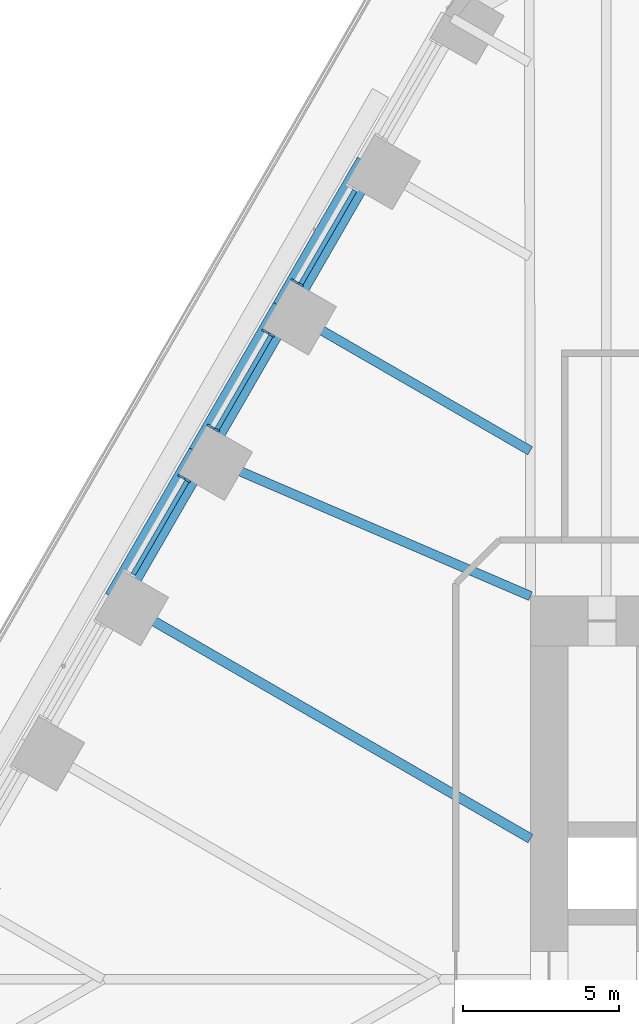
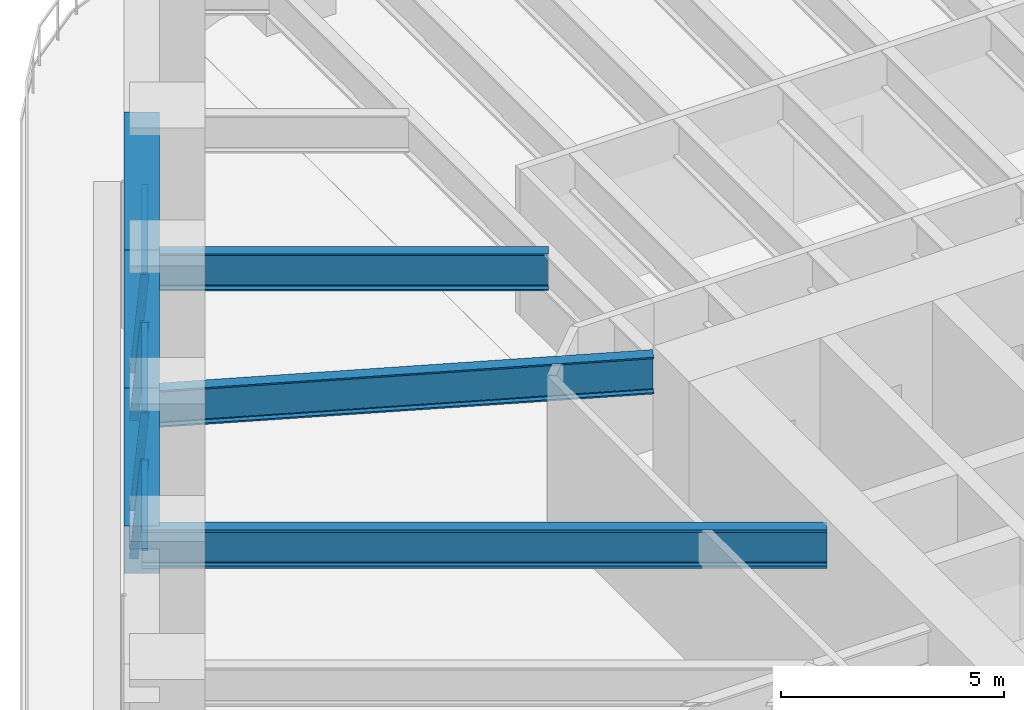
# One storey, part 8 of 23: 7 members, 6 beams, 3 elements without a shape of their own.
"""IFC4 building model written with IfcOpenShell, lengths in metres."""

from ifc_helpers import new_model, si_unit, direction, frame, origin, origin_2d, place, context, subcontext, project, spatial, rectangle, i_section, extrude, material, material_profile, profile_set, type_object, element, aggregate, save


model = new_model("IFC4")

# Units and contexts
model_context = context("Model", 3, precision=1e-05, world=origin(), true_north=direction((0.0, 1.0)))
body_context = subcontext(model_context, "Body", "Model", "MODEL_VIEW")
ifc_project = project(units=[si_unit("LENGTHUNIT", "METRE"), si_unit("AREAUNIT", "SQUARE_METRE"), si_unit("VOLUMEUNIT", "CUBIC_METRE"), si_unit("PLANEANGLEUNIT", "RADIAN"), si_unit("MASSUNIT", "GRAM", prefix="KILO")], contexts=[model_context])

# Site, building, storey
site_placement = place(None, origin())
site = spatial("IfcSite", under=ifc_project, at=site_placement, CompositionType="ELEMENT")
building_placement = place(site_placement, origin())
building = spatial("IfcBuilding", under=site, at=building_placement, Name="Tarfa Lantern Tower", CompositionType="ELEMENT")
storey_placement = place(building_placement, frame((0.0, 0.0, 99.10009765625)))
storey = spatial("IfcBuildingStorey", under=building, at=storey_placement, Name="L22", CompositionType="ELEMENT", Elevation=99.10009765625)

# Curtain wall, member
ifc_material_1 = material(Name="Aluminium framed curtain wall", Category="aluminium")
curtain_wall_type = type_object("IfcCurtainWallType", Name="CW1 CANTED GLAZING LOW ZONE 2700", PredefinedType="USERDEFINED", material=ifc_material_1)
curtain_wall_1_placement = place(storey_placement, origin())
curtain_wall_1 = element("IfcCurtainWall", 1, at=curtain_wall_1_placement, inside=storey, type_object=curtain_wall_type, Name="CW1 NW L22", ObjectType="CURTAIN WALL", PredefinedType="USERDEFINED")
ifc_material_2 = material(Name="Aluminium mullion", Category="aluminium")
ifc_material_profile_1 = material_profile(ifc_material_2, rectangle(XDim=0.06494140625, YDim=0.199951171875, at=origin_2d()), Name="AL MULLION 65x200")
ifc_profile_set_1 = profile_set([ifc_material_profile_1], Name="Aluminium mullion")
member_type_1 = type_object("IfcMemberType", Name="CWM1 MULLION 65x200", PredefinedType="MULLION", material=ifc_profile_set_1)
member_1_placement = place(storey_placement, frame((-26.19775390625, 22.42431640625, 0.0), z_axis=(0.07986442134, -0.046099868913, 0.99573916077), x_axis=(0.499919672301, 0.866071776036, 0.0)))
member_1 = element("IfcMember", 2, at=member_1_placement, type_object=member_type_1, Name="CW1 mullion 2", PredefinedType="MULLION", context=body_context, shape_type="SweptSolid", body=[
    extrude(rectangle(XDim=0.06494140625, YDim=0.199951171875, at=origin_2d()), origin(), (0.0, 0.0, 1.0), 2.71142578125),
])

# Curtain wall, members
curtain_wall_2_placement = place(storey_placement, origin())
curtain_wall_2 = element("IfcCurtainWall", 3, at=curtain_wall_2_placement, inside=storey, type_object=curtain_wall_type, Name="CW1 NW L22", ObjectType="CURTAIN WALL", PredefinedType="USERDEFINED")
member_2_placement = place(storey_placement, frame((-27.130126953125, 20.80908203125, 0.0), z_axis=(0.079774955866, -0.04610020023, 0.995746317068), x_axis=(0.500342721131, 0.865827443207, 0.0)))
member_2 = element("IfcMember", 4, at=member_2_placement, type_object=member_type_1, Name="CW1 mullion 1", PredefinedType="MULLION", context=body_context, shape_type="SweptSolid", body=[
    extrude(rectangle(XDim=0.06494140625, YDim=0.199951171875, at=origin_2d()), origin(), (0.0, 0.0, 1.0), 2.71142578125),
])
member_3_placement = place(storey_placement, frame((-28.89208984375, 17.757568359375, 0.0), z_axis=(0.07986442134, -0.046099868913, 0.99573916077), x_axis=(0.499919672301, 0.866071776036, 0.0)))
member_3 = element("IfcMember", 5, at=member_3_placement, type_object=member_type_1, Name="CW1 mullion 2", PredefinedType="MULLION", context=body_context, shape_type="SweptSolid", body=[
    extrude(rectangle(XDim=0.06494140625, YDim=0.199951171875, at=origin_2d()), origin(), (0.0, 0.0, 1.0), 2.71142578125),
])

# Curtain wall, member
curtain_wall_3_placement = place(storey_placement, origin())
curtain_wall_3 = element("IfcCurtainWall", 6, at=curtain_wall_3_placement, inside=storey, type_object=curtain_wall_type, Name="CW1 NW L22", ObjectType="CURTAIN WALL", PredefinedType="USERDEFINED")
member_4_placement = place(storey_placement, frame((-29.824462890625, 16.142333984375, 0.0), z_axis=(0.07986442134, -0.046099868913, 0.99573916077), x_axis=(0.499919672301, 0.866071776036, 0.0)))
member_4 = element("IfcMember", 7, at=member_4_placement, type_object=member_type_1, Name="CW1 mullion 1", PredefinedType="MULLION", context=body_context, shape_type="SweptSolid", body=[
    extrude(rectangle(XDim=0.06494140625, YDim=0.199951171875, at=origin_2d()), origin(), (0.0, 0.0, 1.0), 2.71142578125),
])

# Member
ifc_material_3 = material(Name="Aluminium transom", Category="aluminium")
ifc_material_profile_2 = material_profile(ifc_material_3, rectangle(XDim=0.14990234375, YDim=0.06494140625, at=origin_2d()), Name="AL TRANSOM 150x65")
ifc_profile_set_2 = profile_set([ifc_material_profile_2], Name="Aluminium transom")
member_type_2 = type_object("IfcMemberType", Name="CWT1 TRANSOM 150x65", PredefinedType="USERDEFINED", material=ifc_profile_set_2)
member_5_placement = place(storey_placement, frame((-24.23828125, 25.32421875, 2.66748046875), z_axis=(-0.49997297598, -0.866041005548, 0.0), x_axis=(0.866041005548, -0.49997297598, 0.0)))
member_5 = element("IfcMember", 8, at=member_5_placement, type_object=member_type_2, Name="CW1 transom 1.2", ObjectType="TRANSOM", PredefinedType="USERDEFINED", context=body_context, shape_type="SweptSolid", body=[
    extrude(rectangle(XDim=0.14990234375, YDim=0.06494140625, at=origin_2d()), origin(), (0.0, 0.0, 1.0), 3.458740234375),
])

aggregate(curtain_wall_1, [member_1, member_5])

member_6_placement = place(storey_placement, frame((-26.9326171875, 20.657470703125, 2.66748046875), z_axis=(-0.49997297598, -0.866041005548, 0.0), x_axis=(0.866041005548, -0.49997297598, 0.0)))
member_6 = element("IfcMember", 9, at=member_6_placement, type_object=member_type_2, Name="CW1 transom 1.2", ObjectType="TRANSOM", PredefinedType="USERDEFINED", context=body_context, shape_type="SweptSolid", body=[
    extrude(rectangle(XDim=0.14990234375, YDim=0.06494140625, at=origin_2d()), origin(), (0.0, 0.0, 1.0), 3.458740234375),
])

aggregate(curtain_wall_2, [member_2, member_3, member_6])

member_7_placement = place(storey_placement, frame((-29.626953125, 15.99072265625, 2.66748046875), z_axis=(-0.500003541824, -0.866023358902, 0.0), x_axis=(0.866023358902, -0.500003541824, 0.0)))
member_7 = element("IfcMember", 10, at=member_7_placement, type_object=member_type_2, Name="CW1 transom 1.2", ObjectType="TRANSOM", PredefinedType="USERDEFINED", context=body_context, shape_type="SweptSolid", body=[
    extrude(rectangle(XDim=0.14990234375, YDim=0.06494140625, at=origin_2d()), origin(), (0.0, 0.0, 1.0), 3.45849609375),
])

aggregate(curtain_wall_3, [member_4, member_7])

# Beams
ifc_material_4 = material(Name="Concrete C80/95", Category="concrete")
ifc_material_profile_3 = material_profile(ifc_material_4, rectangle(XDim=0.800048828125, YDim=1.300048828125, at=origin_2d()), Name="RC 800x1300")
ifc_profile_set_3 = profile_set([ifc_material_profile_3], Name="Concrete C80/95")
beam_type_1 = type_object("IfcBeamType", Name="EB1 RC 800x1300", PredefinedType="SPANDREL", material=ifc_profile_set_3)
beam_1_placement = place(storey_placement, frame((-23.813720703125, 26.193359375, 3.349853515625), z_axis=(-0.499998287579, -0.866026392449, 0.0), x_axis=(0.866026392449, -0.499998287579, 0.0)))
element("IfcBeam", 11, at=beam_1_placement, inside=storey, type_object=beam_type_1, Name="Edge beam NW1", PredefinedType="SPANDREL", context=body_context, shape_type="SweptSolid", body=[
    extrude(rectangle(XDim=0.800048828125, YDim=1.300048828125, at=origin_2d()), origin(), (0.0, 0.0, 1.0), 5.388671875),
])
beam_2_placement = place(storey_placement, frame((-26.508056640625, 21.526611328125, 3.349853515625), z_axis=(-0.500017906299, -0.866015065331, 0.0), x_axis=(0.866015065331, -0.500017906299, 0.0)))
element("IfcBeam", 12, at=beam_2_placement, inside=storey, type_object=beam_type_1, Name="Edge beam NW2", PredefinedType="SPANDREL", context=body_context, shape_type="SweptSolid", body=[
    extrude(rectangle(XDim=0.800048828125, YDim=1.300048828125, at=origin_2d()), origin(), (0.0, 0.0, 1.0), 5.388427734375),
])
beam_3_placement = place(storey_placement, frame((-29.202392578125, 16.860107421875, 3.349853515625), z_axis=(-0.499998287579, -0.866026392449, 0.0), x_axis=(0.866026392449, -0.499998287579, 0.0)))
element("IfcBeam", 13, at=beam_3_placement, inside=storey, type_object=beam_type_1, Name="Edge beam NW3", PredefinedType="SPANDREL", context=body_context, shape_type="SweptSolid", body=[
    extrude(rectangle(XDim=0.800048828125, YDim=1.300048828125, at=origin_2d()), origin(), (0.0, 0.0, 1.0), 5.388671875),
])
ifc_material_5 = material(Name="Steel S460M", Category="steel")
ifc_material_profile_4 = material_profile(ifc_material_5, i_section(OverallWidth=0.302001953125, OverallDepth=1.008056640625, WebThickness=0.02099609375, FlangeThickness=0.0400390625, FilletRadius=0.030029296875, at=origin_2d()), Name="UB1016x305x349")
ifc_profile_set_4 = profile_set([ifc_material_profile_4], Name="Steel S460M")
beam_type_2 = type_object("IfcBeamType", Name="UB1016x305x349", PredefinedType="BEAM", material=ifc_profile_set_4)
beam_4_placement = place(storey_placement, frame((-26.508056640625, 21.526611328125, 3.495849609375), z_axis=(0.866035355799, -0.49998276221, 0.0), x_axis=(0.49998276221, 0.866035355799, 0.0)))
element("IfcBeam", 14, at=beam_4_placement, inside=storey, type_object=beam_type_2, Name="Floor beam NW2", PredefinedType="BEAM", context=body_context, shape_type="SweptSolid", body=[
    extrude(i_section(OverallWidth=0.302001953125, OverallDepth=1.008056640625, WebThickness=0.02099609375, FlangeThickness=0.0400390625, FilletRadius=0.030029296875, at=origin_2d()), origin(), (0.0, 0.0, 1.0), 9.119873046875),
])
beam_5_placement = place(storey_placement, frame((-29.202392578125, 16.860107421875, 3.495849609375), z_axis=(0.918635483867, -0.395106122175, 0.0), x_axis=(0.395106122175, 0.918635483867, 0.0)))
element("IfcBeam", 15, at=beam_5_placement, inside=storey, type_object=beam_type_2, Name="Floor beam NW3", PredefinedType="BEAM", context=body_context, shape_type="SweptSolid", body=[
    extrude(i_section(OverallWidth=0.302001953125, OverallDepth=1.008056640625, WebThickness=0.02099609375, FlangeThickness=0.0400390625, FilletRadius=0.030029296875, at=origin_2d()), origin(), (0.0, 0.0, 1.0), 11.541259765625),
])
ifc_material_profile_5 = material_profile(ifc_material_5, i_section(OverallWidth=0.314208984375, OverallDepth=1.055908203125, WebThickness=0.035888671875, FlangeThickness=0.06396484375, FilletRadius=0.030029296875, at=origin_2d()), Name="UB1016x305x584")
ifc_profile_set_5 = profile_set([ifc_material_profile_5], Name="Steel S460M")
beam_type_3 = type_object("IfcBeamType", Name="UB1016x305x584", PredefinedType="BEAM", material=ifc_profile_set_5)
beam_6_placement = place(storey_placement, frame((-31.896728515625, 12.193359375, 3.471923828125), z_axis=(0.866026971665, -0.499997284341, 0.0), x_axis=(0.499997284341, 0.866026971665, 0.0)))
element("IfcBeam", 16, at=beam_6_placement, inside=storey, type_object=beam_type_3, Name="Floor beam NW4", PredefinedType="BEAM", context=body_context, shape_type="SweptSolid", body=[
    extrude(i_section(OverallWidth=0.314208984375, OverallDepth=1.055908203125, WebThickness=0.035888671875, FlangeThickness=0.06396484375, FilletRadius=0.030029296875, at=origin_2d()), origin(), (0.0, 0.0, 1.0), 15.353515625),
])

save(model, "model.ifc")
